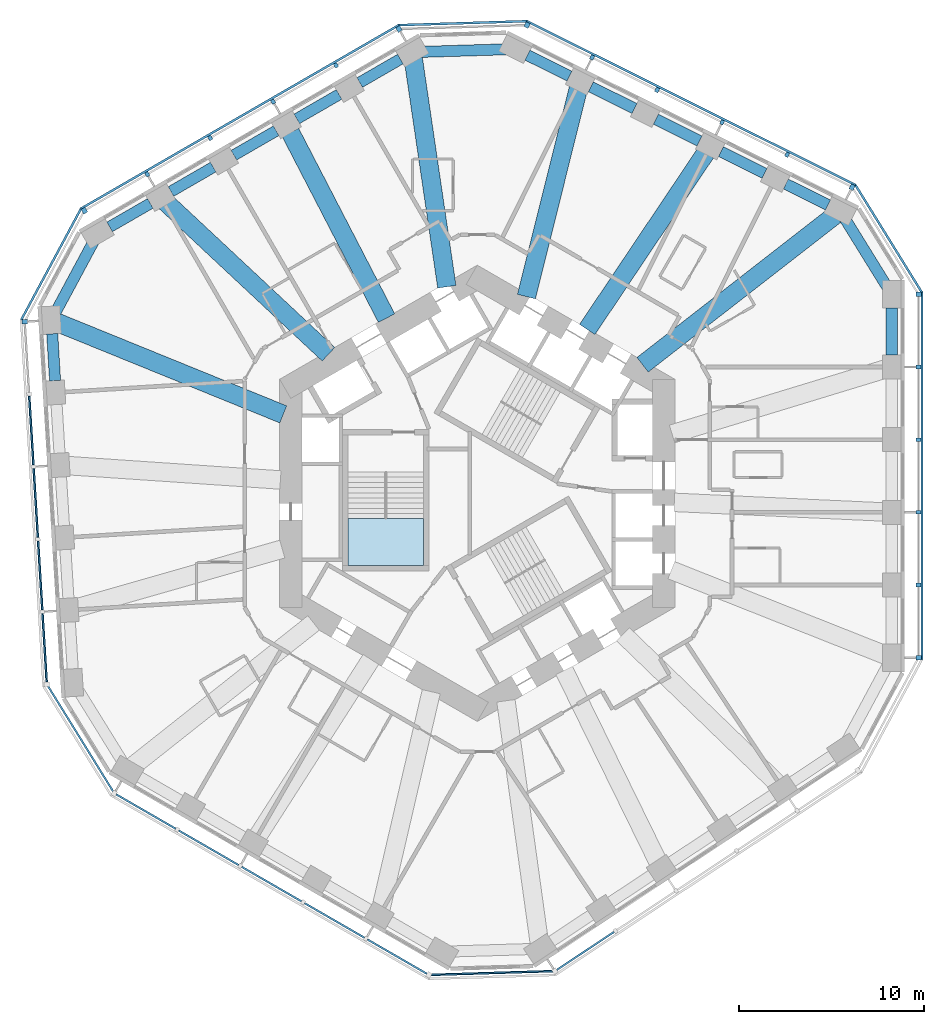
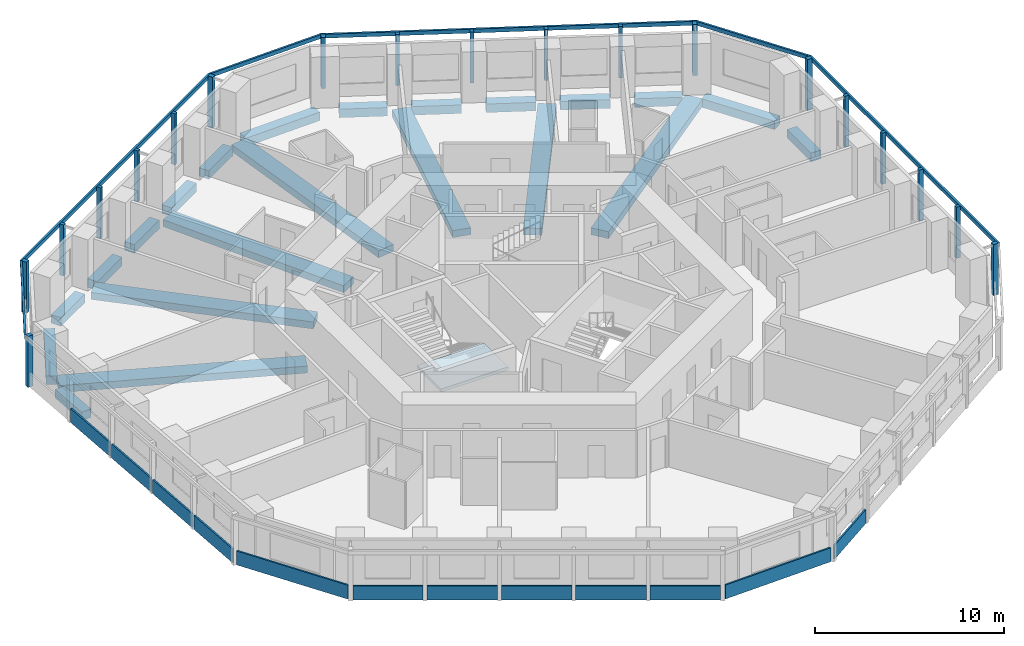
# One storey, part 2 of 12: 25 members, 22 beams, 12 plates, 1 slab, 12 elements without a shape of their own.
"""IFC4 building model written with IfcOpenShell, lengths in metres."""

import ifcopenshell
import ifcopenshell.guid

model = None  # the IFC model being written
_history = None  # IfcOwnerHistory: only IFC2X3 demands one
_inside = {}  # id of a spatial element -> (the spatial element, [elements in it])
_under = {}  # id of a project, library or spatial element -> (it, [spatial elements below it])
_declared = {}  # id of a project -> (the project, [libraries it declares])
_typed = {}  # id of a type object -> (the type object, [elements of that type])
_made_of = {}  # id of a material, layer set ... -> (it, [elements and type objects made of it])


def new_model(schema):
    """Start an empty IFC model of exactly this schema.

    Asked for "IFC4X3", IfcOpenShell would pick the latest addendum, in which some entities
    have other attributes; the version numbers below select the first issue.
    IFC2X3 requires an IfcOwnerHistory on every rooted entity: one is made here for all.
    """
    global model, _history
    if schema == "IFC4X3":
        model = ifcopenshell.file(schema_version=(4, 3, 0, 0))
    else:
        model = ifcopenshell.file(schema=schema)
    _inside.clear()
    _under.clear()
    _declared.clear()
    _typed.clear()
    _made_of.clear()
    _history = None
    if model.schema == "IFC2X3":
        org = make("IfcOrganization", Name="unknown")
        user = make(
            "IfcPersonAndOrganization",
            ThePerson=make("IfcPerson", FamilyName="unknown"),
            TheOrganization=org,
        )
        app = make(
            "IfcApplication",
            ApplicationDeveloper=org,
            Version="unknown",
            ApplicationFullName="unknown",
            ApplicationIdentifier="unknown",
        )
        _history = make(
            "IfcOwnerHistory",
            OwningUser=user,
            OwningApplication=app,
            ChangeAction="ADDED",
            CreationDate=0,
        )
    return model


def make(cls, **values):
    """One entity of the class cls with the attributes given. An attribute that is None is left unset."""
    return model.create_entity(
        cls, **{name: value for name, value in values.items() if value is not None}
    )


def rooted(cls, **values):
    """An entity with a GlobalId (a new one), such as an element, a storey or a relation."""
    return make(cls, GlobalId=ifcopenshell.guid.new(), OwnerHistory=_history, **values)


def si_unit(unit_type, name, prefix=None):
    """IfcSIUnit, for example si_unit("LENGTHUNIT", "METRE", prefix="MILLI")."""
    return make("IfcSIUnit", UnitType=unit_type, Prefix=prefix, Name=name)


def assignment(units):
    """IfcUnitAssignment: the units of a project."""
    return None if units is None else make("IfcUnitAssignment", Units=units)


def point(xyz):
    """IfcCartesianPoint."""
    return None if xyz is None else make("IfcCartesianPoint", Coordinates=xyz)


def direction(xyz):
    """IfcDirection."""
    return None if xyz is None else make("IfcDirection", DirectionRatios=xyz)


def frame(location, z_axis=None, x_axis=None):
    """IfcAxis2Placement3D, a coordinate frame: its origin and axes. An axis left out is left unset."""
    return make(
        "IfcAxis2Placement3D",
        Location=point(location),
        Axis=direction(z_axis),
        RefDirection=direction(x_axis),
    )


def frame_2d(location, x_axis=None):
    """IfcAxis2Placement2D, a coordinate frame in the plane: its origin and x axis."""
    return make(
        "IfcAxis2Placement2D", Location=point(location), RefDirection=direction(x_axis)
    )


def origin():
    """The frame at (0, 0, 0) with its axes left unset."""
    return frame((0.0, 0.0, 0.0))


def origin_2d():
    """The frame at (0, 0) in the plane with its x axis left unset."""
    return frame_2d((0.0, 0.0))


def place(relative_to, where):
    """IfcLocalPlacement: puts the frame where relative to a parent placement (None: the world)."""
    return make(
        "IfcLocalPlacement", PlacementRelTo=relative_to, RelativePlacement=where
    )


def context(
    kind, dimensions, precision=None, world=None, true_north=None, identifier=None
):
    """IfcGeometricRepresentationContext, for example the 3D "Model" context."""
    return make(
        "IfcGeometricRepresentationContext",
        ContextIdentifier=identifier,
        ContextType=kind,
        CoordinateSpaceDimension=dimensions,
        Precision=precision,
        WorldCoordinateSystem=world,
        TrueNorth=true_north,
    )


def subcontext(parent, identifier, kind, view, scale=None):
    """IfcGeometricRepresentationSubContext, for example "Body" below "Model"."""
    return make(
        "IfcGeometricRepresentationSubContext",
        ContextIdentifier=identifier,
        ContextType=kind,
        ParentContext=parent,
        TargetScale=scale,
        TargetView=view,
    )


def project(units=None, contexts=None):
    """IfcProject with its units and contexts."""
    return rooted(
        "IfcProject",
        Name="project",
        RepresentationContexts=contexts,
        UnitsInContext=assignment(units),
    )


def spatial(cls, under=None, at=None, **own):
    """A site, building, storey or space (cls), placed at a placement, below another one or the project."""
    s = rooted(cls, ObjectPlacement=at, **own)
    if under is not None:
        _under.setdefault(under.id(), (under, []))[1].append(s)
    return s


def polyline(points):
    """IfcPolyline through the points."""
    return make("IfcPolyline", Points=[point(p) for p in points])


def profile(cls, at=None, kind="AREA", **sizes):
    """A parametric profile (cls). Its sizes go by their IFC names, for example OverallWidth=200.0."""
    return make(cls, ProfileType=kind, Position=at, **sizes)


def rectangle(**sizes):
    """IfcRectangleProfileDef."""
    return profile("IfcRectangleProfileDef", **sizes)


def outline(outer, holes=None, kind="AREA"):
    """IfcArbitraryClosedProfileDef: a profile drawn as a closed curve; with holes, ...WithVoids."""
    if holes is None:
        return make("IfcArbitraryClosedProfileDef", ProfileType=kind, OuterCurve=outer)
    return make(
        "IfcArbitraryProfileDefWithVoids",
        ProfileType=kind,
        OuterCurve=outer,
        InnerCurves=holes,
    )


def extrude(swept, where, along, depth):
    """IfcExtrudedAreaSolid: the profile swept, set in the frame where, extruded along a direction by depth."""
    return make(
        "IfcExtrudedAreaSolid",
        SweptArea=swept,
        Position=where,
        ExtrudedDirection=direction(along),
        Depth=depth,
    )


def shape(context_of_items, identifier, shape_type, items):
    """IfcShapeRepresentation: the items that make up one representation, for example the "Body"."""
    return make(
        "IfcShapeRepresentation",
        ContextOfItems=context_of_items,
        RepresentationIdentifier=identifier,
        RepresentationType=shape_type,
        Items=items,
    )


def material(Name=None, Category=None):
    """IfcMaterial."""
    return make("IfcMaterial", Name=Name, Category=Category)


def layer(
    of_material, thickness, ventilated=None, Name=None, Category=None, Priority=None
):
    """IfcMaterialLayer: one layer of a wall or slab, of a material (None: an air gap)."""
    return make(
        "IfcMaterialLayer",
        Material=of_material,
        LayerThickness=thickness,
        IsVentilated=ventilated,
        Name=Name,
        Category=Category,
        Priority=Priority,
    )


def layer_set(layers, Name=None):
    """IfcMaterialLayerSet."""
    return make("IfcMaterialLayerSet", MaterialLayers=layers, LayerSetName=Name)


def material_profile(
    of_material, cross_section, Name=None, Category=None, Priority=None
):
    """IfcMaterialProfile: a cross section and its material."""
    return make(
        "IfcMaterialProfile",
        Name=Name,
        Material=of_material,
        Profile=cross_section,
        Priority=Priority,
        Category=Category,
    )


def profile_set(profiles, Name=None, composite=None):
    """IfcMaterialProfileSet."""
    return make(
        "IfcMaterialProfileSet",
        Name=Name,
        MaterialProfiles=profiles,
        CompositeProfile=composite,
    )


def made_of(thing, what):
    """Note that an element or type object is made of a material, layer set ...; save() writes the relation."""
    if what is not None:
        _made_of.setdefault(what.id(), (what, []))[1].append(thing)
    return thing


def type_object(cls, material=None, **own):
    """A type object (cls), such as IfcWallType, which elements share."""
    return made_of(rooted(cls, **own), material)


def element(
    cls,
    number,
    at=None,
    inside=None,
    cuts=None,
    type_object=None,
    material=None,
    context=None,
    identifier="Body",
    shape_type=None,
    held_by="IfcProductDefinitionShape",
    body=None,
    shapes=None,
    **own,
):
    """One element of the class cls, such as IfcWall. Its Tag is "e" and its number.

    at: its placement. inside: the storey or other place that contains it. cuts: it is an
    opening in that element (IfcRelVoidsElement). A single representation is given by context,
    identifier, shape_type and body (its items); several are given by shapes. held_by: the class
    of the entity that holds the representations. save() writes the other relations.
    """
    e = rooted(cls, Tag="e%d" % number, ObjectPlacement=at, **own)
    if body is not None:
        shapes = [shape(context, identifier, shape_type, body)]
    if shapes is not None:
        e.Representation = make(held_by, Representations=shapes)
    if inside is not None:
        _inside.setdefault(inside.id(), (inside, []))[1].append(e)
    if cuts is not None:
        rooted(
            "IfcRelVoidsElement", RelatingBuildingElement=cuts, RelatedOpeningElement=e
        )
    if type_object is not None:
        _typed.setdefault(type_object.id(), (type_object, []))[1].append(e)
    return made_of(e, material)


def aggregate(whole, parts):
    """IfcRelAggregates: a whole, such as a stair, and the parts it consists of."""
    return rooted("IfcRelAggregates", RelatingObject=whole, RelatedObjects=parts)


def save(model, path):
    """Write the relations noted so far, then the file.

    IfcRelAggregates (storeys below a building ...), IfcRelContainedInSpatialStructure (elements
    in a storey), IfcRelDefinesByType, IfcRelAssociatesMaterial and IfcRelDeclares: one each for
    every whole, place, type object, material and project.
    """
    for whole, parts in _under.values():
        aggregate(whole, parts)
    for where, things in _inside.values():
        rooted(
            "IfcRelContainedInSpatialStructure",
            RelatedElements=things,
            RelatingStructure=where,
        )
    for kind, things in _typed.values():
        rooted("IfcRelDefinesByType", RelatedObjects=things, RelatingType=kind)
    for what, things in _made_of.values():
        rooted("IfcRelAssociatesMaterial", RelatedObjects=things, RelatingMaterial=what)
    for by, libraries in _declared.values():
        rooted("IfcRelDeclares", RelatingContext=by, RelatedDefinitions=libraries)
    model.write(path)


model = new_model("IFC4")

# Units and contexts
model_context = context("Model", 3, precision=1e-05, world=origin(), true_north=direction((0.0, 1.0)))
body_context = subcontext(model_context, "Body", "Model", "MODEL_VIEW")
ifc_project = project(units=[si_unit("LENGTHUNIT", "METRE"), si_unit("AREAUNIT", "SQUARE_METRE"), si_unit("VOLUMEUNIT", "CUBIC_METRE"), si_unit("PLANEANGLEUNIT", "RADIAN"), si_unit("MASSUNIT", "GRAM", prefix="KILO")], contexts=[model_context])

# Site, building, storey
site_placement = place(None, origin())
site = spatial("IfcSite", under=ifc_project, at=site_placement, CompositionType="ELEMENT")
building_placement = place(site_placement, origin())
building = spatial("IfcBuilding", under=site, at=building_placement, Name="Vanh Sen Convention Tower", CompositionType="ELEMENT")
storey_placement = place(building_placement, frame((0.0, 0.0, 50.60009765625)))
storey = spatial("IfcBuildingStorey", under=building, at=storey_placement, Name="L09", CompositionType="ELEMENT", Elevation=50.60009765625)

# Curtain wall, members
ifc_material_1 = material(Name="Concrete C50/60", Category="concrete")
curtain_wall_type = type_object("IfcCurtainWallType", Name="Outer skin hotel zone", PredefinedType="NOTDEFINED", material=ifc_material_1)
curtain_wall_1_placement = place(storey_placement, origin())
curtain_wall_1 = element("IfcCurtainWall", 1, at=curtain_wall_1_placement, inside=storey, type_object=curtain_wall_type, Name="OUTER SKIN E L09", PredefinedType="NOTDEFINED")
ifc_material_profile_1 = material_profile(ifc_material_1, rectangle(XDim=0.25, YDim=0.300048828125, at=origin_2d()), Name="Outer skin precast corner fin 250 x 300")
ifc_profile_set_1 = profile_set([ifc_material_profile_1], Name="Concrete C50/60")
member_type_1 = type_object("IfcMemberType", Name="Outer skin precast corner fin 250 x 300", PredefinedType="MULLION", material=ifc_profile_set_1)
member_1_placement = place(storey_placement, frame((23.89990234375, -8.899169921875, 0.0), z_axis=(0.0, 0.0, 1.0), x_axis=(0.0, 1.0, 0.0)))
member_1 = element("IfcMember", 2, at=member_1_placement, type_object=member_type_1, Name="OUTER SKIN CORNER FIN 1 E L09", PredefinedType="MULLION", context=body_context, shape_type="SweptSolid", body=[
    extrude(rectangle(XDim=0.25, YDim=0.300048828125, at=origin_2d()), origin(), (0.0, 0.0, 1.0), 3.2998046875),
])
member_2_placement = place(storey_placement, frame((23.89990234375, 10.773681640625, 0.0), z_axis=(0.0, 0.0, 1.0), x_axis=(0.0, 1.0, 0.0)))
member_2 = element("IfcMember", 3, at=member_2_placement, type_object=member_type_1, Name="OUTER SKIN CORNER FIN 6 E L09", PredefinedType="MULLION", context=body_context, shape_type="SweptSolid", body=[
    extrude(rectangle(XDim=0.25, YDim=0.300048828125, at=origin_2d()), origin(), (0.0, 0.0, 1.0), 3.2998046875),
])

curtain_wall_2_placement = place(storey_placement, origin())
curtain_wall_2 = element("IfcCurtainWall", 4, at=curtain_wall_2_placement, inside=storey, type_object=curtain_wall_type, Name="OUTER SKIN NE L09", PredefinedType="NOTDEFINED")
member_3_placement = place(storey_placement, frame((20.305908203125, 16.581787109375, 0.0), z_axis=(0.0, 0.0, 1.0), x_axis=(-0.894934361602, 0.44619781311, 0.0)))
member_3 = element("IfcMember", 5, at=member_3_placement, type_object=member_type_1, Name="OUTER SKIN CORNER FIN 1 NE L09", PredefinedType="MULLION", context=body_context, shape_type="SweptSolid", body=[
    extrude(rectangle(XDim=0.25, YDim=0.300048828125, at=origin_2d()), origin(), (0.0, 0.0, 1.0), 3.2998046875),
])
member_4_placement = place(storey_placement, frame((2.699951171875, 25.35986328125, 0.0), z_axis=(0.0, 0.0, 1.0), x_axis=(-0.894934361602, 0.44619781311, 0.0)))
member_4 = element("IfcMember", 6, at=member_4_placement, type_object=member_type_1, Name="OUTER SKIN CORNER FIN 6 NE L09", PredefinedType="MULLION", context=body_context, shape_type="SweptSolid", body=[
    extrude(rectangle(XDim=0.25, YDim=0.300048828125, at=origin_2d()), origin(), (0.0, 0.0, 1.0), 3.2998046875),
])

curtain_wall_3_placement = place(storey_placement, origin())
curtain_wall_3 = element("IfcCurtainWall", 7, at=curtain_wall_3_placement, inside=storey, type_object=curtain_wall_type, Name="OUTER SKIN NW L09", PredefinedType="NOTDEFINED")
member_5_placement = place(storey_placement, frame((-4.242919921875, 25.147705078125, 0.0), z_axis=(0.0, 0.0, 1.0), x_axis=(-0.866025403784, -0.5, 0.0)))
member_5 = element("IfcMember", 8, at=member_5_placement, type_object=member_type_1, Name="OUTER SKIN CORNER FIN 1 NW L09", PredefinedType="MULLION", context=body_context, shape_type="SweptSolid", body=[
    extrude(rectangle(XDim=0.25, YDim=0.300048828125, at=origin_2d()), origin(), (0.0, 0.0, 1.0), 3.2998046875),
])
member_6_placement = place(storey_placement, frame((-21.2802734375, 15.31103515625, 0.0), z_axis=(0.0, 0.0, 1.0), x_axis=(-0.866025403784, -0.5, 0.0)))
member_6 = element("IfcMember", 9, at=member_6_placement, type_object=member_type_1, Name="OUTER SKIN CORNER FIN 6 NW L09", PredefinedType="MULLION", context=body_context, shape_type="SweptSolid", body=[
    extrude(rectangle(XDim=0.25, YDim=0.300048828125, at=origin_2d()), origin(), (0.0, 0.0, 1.0), 3.2998046875),
])

# Curtain wall, member
curtain_wall_4_placement = place(storey_placement, origin())
curtain_wall_4 = element("IfcCurtainWall", 10, at=curtain_wall_4_placement, inside=storey, type_object=curtain_wall_type, Name="OUTER SKIN W L09", PredefinedType="NOTDEFINED")
member_7_placement = place(storey_placement, frame((-24.51318359375, 9.294677734375, 0.0), z_axis=(0.0, 0.0, 1.0), x_axis=(0.061048539535, -0.998134798422, 0.0)))
member_7 = element("IfcMember", 11, at=member_7_placement, type_object=member_type_1, Name="OUTER SKIN CORNER FIN 1 W L09", PredefinedType="MULLION", context=body_context, shape_type="SweptSolid", body=[
    extrude(rectangle(XDim=0.25, YDim=0.300048828125, at=origin_2d()), origin(), (0.0, 0.0, 1.0), 3.2998046875),
])

# Member
ifc_material_profile_2 = material_profile(ifc_material_1, rectangle(XDim=0.199951171875, YDim=0.25, at=origin_2d()), Name="Outer skin precast fin 200 x 250")
ifc_profile_set_2 = profile_set([ifc_material_profile_2], Name="Concrete C50/60")
member_type_2 = type_object("IfcMemberType", Name="Outer skin precast fin 200 x 250", PredefinedType="MULLION", material=ifc_profile_set_2)
member_8_placement = place(storey_placement, frame((23.89990234375, -4.964599609375, 0.0), z_axis=(0.0, 0.0, 1.0), x_axis=(0.0, 1.0, 0.0)))
member_8 = element("IfcMember", 12, at=member_8_placement, type_object=member_type_2, Name="OUTER SKIN fin 2 E L09", PredefinedType="MULLION", context=body_context, shape_type="SweptSolid", body=[
    extrude(rectangle(XDim=0.199951171875, YDim=0.25, at=origin_2d()), origin(), (0.0, 0.0, 1.0), 3.2998046875),
])

member_9_placement = place(storey_placement, frame((23.89990234375, -1.030029296875, 0.0), z_axis=(0.0, 0.0, 1.0), x_axis=(0.0, 1.0, 0.0)))
member_9 = element("IfcMember", 13, at=member_9_placement, type_object=member_type_2, Name="OUTER SKIN fin 3 E L09", PredefinedType="MULLION", context=body_context, shape_type="SweptSolid", body=[
    extrude(rectangle(XDim=0.199951171875, YDim=0.25, at=origin_2d()), origin(), (0.0, 0.0, 1.0), 3.2998046875),
])

member_10_placement = place(storey_placement, frame((23.89990234375, 2.904541015625, 0.0), z_axis=(0.0, 0.0, 1.0), x_axis=(0.0, 1.0, 0.0)))
member_10 = element("IfcMember", 14, at=member_10_placement, type_object=member_type_2, Name="OUTER SKIN fin 4 E L09", PredefinedType="MULLION", context=body_context, shape_type="SweptSolid", body=[
    extrude(rectangle(XDim=0.199951171875, YDim=0.25, at=origin_2d()), origin(), (0.0, 0.0, 1.0), 3.2998046875),
])

member_11_placement = place(storey_placement, frame((23.89990234375, 6.839111328125, 0.0), z_axis=(0.0, 0.0, 1.0), x_axis=(0.0, 1.0, 0.0)))
member_11 = element("IfcMember", 15, at=member_11_placement, type_object=member_type_2, Name="OUTER SKIN fin 5 E L09", PredefinedType="MULLION", context=body_context, shape_type="SweptSolid", body=[
    extrude(rectangle(XDim=0.199951171875, YDim=0.25, at=origin_2d()), origin(), (0.0, 0.0, 1.0), 3.2998046875),
])

member_12_placement = place(storey_placement, frame((16.78466796875, 18.33740234375, 0.0), z_axis=(0.0, 0.0, 1.0), x_axis=(-0.894934361602, 0.44619781311, 0.0)))
member_12 = element("IfcMember", 16, at=member_12_placement, type_object=member_type_2, Name="OUTER SKIN fin 2 NE L09", PredefinedType="MULLION", context=body_context, shape_type="SweptSolid", body=[
    extrude(rectangle(XDim=0.199951171875, YDim=0.25, at=origin_2d()), origin(), (0.0, 0.0, 1.0), 3.2998046875),
])

member_13_placement = place(storey_placement, frame((13.263427734375, 20.093017578125, 0.0), z_axis=(0.0, 0.0, 1.0), x_axis=(-0.894934361602, 0.44619781311, 0.0)))
member_13 = element("IfcMember", 17, at=member_13_placement, type_object=member_type_2, Name="OUTER SKIN fin 3 NE L09", PredefinedType="MULLION", context=body_context, shape_type="SweptSolid", body=[
    extrude(rectangle(XDim=0.199951171875, YDim=0.25, at=origin_2d()), origin(), (0.0, 0.0, 1.0), 3.2998046875),
])

member_14_placement = place(storey_placement, frame((9.7421875, 21.8486328125, 0.0), z_axis=(0.0, 0.0, 1.0), x_axis=(-0.894934361602, 0.44619781311, 0.0)))
member_14 = element("IfcMember", 18, at=member_14_placement, type_object=member_type_2, Name="OUTER SKIN fin 4 NE L09", PredefinedType="MULLION", context=body_context, shape_type="SweptSolid", body=[
    extrude(rectangle(XDim=0.199951171875, YDim=0.25, at=origin_2d()), origin(), (0.0, 0.0, 1.0), 3.2998046875),
])

member_15_placement = place(storey_placement, frame((6.22119140625, 23.604248046875, 0.0), z_axis=(0.0, 0.0, 1.0), x_axis=(-0.894934361602, 0.44619781311, 0.0)))
member_15 = element("IfcMember", 19, at=member_15_placement, type_object=member_type_2, Name="OUTER SKIN fin 5 NE L09", PredefinedType="MULLION", context=body_context, shape_type="SweptSolid", body=[
    extrude(rectangle(XDim=0.199951171875, YDim=0.25, at=origin_2d()), origin(), (0.0, 0.0, 1.0), 3.2998046875),
])

member_16_placement = place(storey_placement, frame((-7.650390625, 23.180419921875, 0.0), z_axis=(0.0, 0.0, 1.0), x_axis=(-0.866025403784, -0.5, 0.0)))
member_16 = element("IfcMember", 20, at=member_16_placement, type_object=member_type_2, Name="OUTER SKIN fin 2 NW L09", PredefinedType="MULLION", context=body_context, shape_type="SweptSolid", body=[
    extrude(rectangle(XDim=0.199951171875, YDim=0.25, at=origin_2d()), origin(), (0.0, 0.0, 1.0), 3.2998046875),
])

member_17_placement = place(storey_placement, frame((-11.057861328125, 21.212890625, 0.0), z_axis=(0.0, 0.0, 1.0), x_axis=(-0.866025403784, -0.5, 0.0)))
member_17 = element("IfcMember", 21, at=member_17_placement, type_object=member_type_2, Name="OUTER SKIN fin 3 NW L09", PredefinedType="MULLION", context=body_context, shape_type="SweptSolid", body=[
    extrude(rectangle(XDim=0.199951171875, YDim=0.25, at=origin_2d()), origin(), (0.0, 0.0, 1.0), 3.2998046875),
])

member_18_placement = place(storey_placement, frame((-14.46533203125, 19.24560546875, 0.0), z_axis=(0.0, 0.0, 1.0), x_axis=(-0.866025403784, -0.5, 0.0)))
member_18 = element("IfcMember", 22, at=member_18_placement, type_object=member_type_2, Name="OUTER SKIN fin 4 NW L09", PredefinedType="MULLION", context=body_context, shape_type="SweptSolid", body=[
    extrude(rectangle(XDim=0.199951171875, YDim=0.25, at=origin_2d()), origin(), (0.0, 0.0, 1.0), 3.2998046875),
])

member_19_placement = place(storey_placement, frame((-17.872802734375, 17.2783203125, 0.0), z_axis=(0.0, 0.0, 1.0), x_axis=(-0.866025403784, -0.5, 0.0)))
member_19 = element("IfcMember", 23, at=member_19_placement, type_object=member_type_2, Name="OUTER SKIN fin 5 NW L09", PredefinedType="MULLION", context=body_context, shape_type="SweptSolid", body=[
    extrude(rectangle(XDim=0.199951171875, YDim=0.25, at=origin_2d()), origin(), (0.0, 0.0, 1.0), 3.2998046875),
])

ifc_material_profile_3 = material_profile(ifc_material_1, rectangle(XDim=0.1201171875, YDim=0.25, at=origin_2d()), Name="Outer skin precast spandrel band 250 x 120")
ifc_profile_set_3 = profile_set([ifc_material_profile_3], Name="Concrete C50/60")
member_type_3 = type_object("IfcMemberType", Name="Outer skin precast spandrel band 250 x 120", PredefinedType="USERDEFINED", material=ifc_profile_set_3)
member_20_placement = place(storey_placement, frame((24.0849609375, -9.024169921875, 3.1748046875), z_axis=(0.0, 1.0, 0.0), x_axis=(-1.0, 0.0, 0.0)))
member_20 = element("IfcMember", 24, at=member_20_placement, type_object=member_type_3, Name="OUTER SKIN spandrel band E L09", ObjectType="TRANSOM", PredefinedType="USERDEFINED", context=body_context, shape_type="SweptSolid", body=[
    extrude(rectangle(XDim=0.1201171875, YDim=0.25, at=origin_2d()), origin(), (0.0, 0.0, 1.0), 19.9228515625),
])

aggregate(curtain_wall_1, [member_1, member_8, member_9, member_10, member_11, member_2, member_20])

# Curtain wall, member
curtain_wall_5_placement = place(storey_placement, origin())
curtain_wall_5 = element("IfcCurtainWall", 25, at=curtain_wall_5_placement, inside=storey, type_object=curtain_wall_type, Name="OUTER SKIN CH1 L09", PredefinedType="NOTDEFINED")
member_21_placement = place(storey_placement, frame((24.07861328125, 10.88427734375, 3.1748046875), z_axis=(-0.526195864379, 0.850363400148, 0.0), x_axis=(-0.850363400148, -0.526195864379, 0.0)))
member_21 = element("IfcMember", 26, at=member_21_placement, type_object=member_type_3, Name="OUTER SKIN spandrel band CH1 L09", ObjectType="TRANSOM", PredefinedType="USERDEFINED", context=body_context, shape_type="SweptSolid", body=[
    extrude(rectangle(XDim=0.1201171875, YDim=0.25, at=origin_2d()), origin(), (0.0, 0.0, 1.0), 6.830078125),
])
aggregate(curtain_wall_5, [member_21])

# Member
member_22_placement = place(storey_placement, frame((20.500244140625, 16.69140625, 3.1748046875), z_axis=(-0.894931498167, 0.446203556227, 0.0), x_axis=(-0.446203556227, -0.894931498167, 0.0)))
member_22 = element("IfcMember", 27, at=member_22_placement, type_object=member_type_3, Name="OUTER SKIN spandrel band NE L09", ObjectType="TRANSOM", PredefinedType="USERDEFINED", context=body_context, shape_type="SweptSolid", body=[
    extrude(rectangle(XDim=0.1201171875, YDim=0.25, at=origin_2d()), origin(), (0.0, 0.0, 1.0), 19.9228515625),
])

aggregate(curtain_wall_2, [member_3, member_12, member_13, member_14, member_15, member_4, member_22])

# Curtain wall, member
curtain_wall_6_placement = place(storey_placement, origin())
curtain_wall_6 = element("IfcCurtainWall", 28, at=curtain_wall_6_placement, inside=storey, type_object=curtain_wall_type, Name="OUTER SKIN CH2 L09", PredefinedType="NOTDEFINED")
member_23_placement = place(storey_placement, frame((2.693603515625, 25.569580078125, 3.1748046875), z_axis=(-0.999533472857, -0.030542374483, 0.0), x_axis=(0.030542374483, -0.999533472857, 0.0)))
member_23 = element("IfcMember", 29, at=member_23_placement, type_object=member_type_3, Name="OUTER SKIN spandrel band CH2 L09", ObjectType="TRANSOM", PredefinedType="USERDEFINED", context=body_context, shape_type="SweptSolid", body=[
    extrude(rectangle(XDim=0.1201171875, YDim=0.25, at=origin_2d()), origin(), (0.0, 0.0, 1.0), 6.9462890625),
])
aggregate(curtain_wall_6, [member_23])

# Member
member_24_placement = place(storey_placement, frame((-4.227294921875, 25.370361328125, 3.1748046875), z_axis=(-0.866028047459, -0.499995420993, 0.0), x_axis=(0.499995420993, -0.866028047459, 0.0)))
member_24 = element("IfcMember", 30, at=member_24_placement, type_object=member_type_3, Name="OUTER SKIN spandrel band NW L09", ObjectType="TRANSOM", PredefinedType="USERDEFINED", context=body_context, shape_type="SweptSolid", body=[
    extrude(rectangle(XDim=0.1201171875, YDim=0.25, at=origin_2d()), origin(), (0.0, 0.0, 1.0), 19.923095703125),
])

aggregate(curtain_wall_3, [member_5, member_16, member_17, member_18, member_19, member_6, member_24])

# Curtain wall, member
curtain_wall_7_placement = place(storey_placement, origin())
curtain_wall_7 = element("IfcCurtainWall", 31, at=curtain_wall_7_placement, inside=storey, type_object=curtain_wall_type, Name="OUTER SKIN CH3 L09", PredefinedType="NOTDEFINED")
member_25_placement = place(storey_placement, frame((-21.46533203125, 15.410400390625, 3.1748046875), z_axis=(-0.473315186561, -0.880893145717, 0.0), x_axis=(0.880893145717, -0.473315186561, 0.0)))
member_25 = element("IfcMember", 32, at=member_25_placement, type_object=member_type_3, Name="OUTER SKIN spandrel band CH3 L09", ObjectType="TRANSOM", PredefinedType="USERDEFINED", context=body_context, shape_type="SweptSolid", body=[
    extrude(rectangle(XDim=0.1201171875, YDim=0.25, at=origin_2d()), origin(), (0.0, 0.0, 1.0), 6.829833984375),
])
aggregate(curtain_wall_7, [member_25])

# Beams
ifc_material_2 = material(Name="Concrete C50/60", Category="concrete")
ifc_material_profile_4 = material_profile(ifc_material_2, rectangle(XDim=1.0, YDim=0.449951171875, at=origin_2d()), Name="RC 1000X450")
ifc_profile_set_4 = profile_set([ifc_material_profile_4], Name="Concrete C50/60")
beam_type_1 = type_object("IfcBeamType", Name="Radial floor beam 1000 x 450", PredefinedType="BEAM", material=ifc_profile_set_4)
beam_1_placement = place(storey_placement, frame((19.41455078125, 15.093994140625, -0.47509765625), z_axis=(-0.789473256885, -0.613784959627, 0.0), x_axis=(0.613784959627, -0.789473256885, 0.0)))
element("IfcBeam", 33, at=beam_1_placement, inside=storey, type_object=beam_type_1, Name="Radial beam 04 L09", PredefinedType="BEAM", context=body_context, shape_type="SweptSolid", body=[
    extrude(rectangle(XDim=1.0, YDim=0.449951171875, at=origin_2d()), origin(), (0.0, 0.0, 1.0), 13.248779296875),
])
beam_2_placement = place(storey_placement, frame((12.374267578125, 18.4345703125, -0.47509765625), z_axis=(-0.557324389615, -0.830294842053, 0.0), x_axis=(0.830294842053, -0.557324389615, 0.0)))
element("IfcBeam", 34, at=beam_2_placement, inside=storey, type_object=beam_type_1, Name="Radial beam 05 L09", PredefinedType="BEAM", context=body_context, shape_type="SweptSolid", body=[
    extrude(rectangle(XDim=1.0, YDim=0.449951171875, at=origin_2d()), origin(), (0.0, 0.0, 1.0), 11.51708984375),
])
beam_3_placement = place(storey_placement, frame((5.47802734375, 21.921875, -0.47509765625), z_axis=(-0.242426812684, -0.97016969675, 0.0), x_axis=(0.97016969675, -0.242426812684, 0.0)))
element("IfcBeam", 35, at=beam_3_placement, inside=storey, type_object=beam_type_1, Name="Radial beam 06 L09", PredefinedType="BEAM", context=body_context, shape_type="SweptSolid", body=[
    extrude(rectangle(XDim=1.0, YDim=0.449951171875, at=origin_2d()), origin(), (0.0, 0.0, 1.0), 11.614501953125),
])
beam_4_placement = place(storey_placement, frame((-3.46923828125, 23.560791015625, -0.47509765625), z_axis=(0.145669310946, -0.989333337075, 0.0), x_axis=(0.989333337075, 0.145669310946, 0.0)))
element("IfcBeam", 36, at=beam_4_placement, inside=storey, type_object=beam_type_1, Name="Radial beam 07 L09", PredefinedType="BEAM", context=body_context, shape_type="SweptSolid", body=[
    extrude(rectangle(XDim=1.0, YDim=0.449951171875, at=origin_2d()), origin(), (0.0, 0.0, 1.0), 12.5078125),
])
beam_5_placement = place(storey_placement, frame((-10.115478515625, 19.53759765625, -0.47509765625), z_axis=(0.459758563435, -0.8880439535, 0.0), x_axis=(0.8880439535, 0.459758563435, 0.0)))
element("IfcBeam", 37, at=beam_5_placement, inside=storey, type_object=beam_type_1, Name="Radial beam 08 L09", PredefinedType="BEAM", context=body_context, shape_type="SweptSolid", body=[
    extrude(rectangle(XDim=1.0, YDim=0.449951171875, at=origin_2d()), origin(), (0.0, 0.0, 1.0), 11.317626953125),
])
beam_6_placement = place(storey_placement, frame((-16.880859375, 15.773193359375, -0.47509765625), z_axis=(0.730669888391, -0.682730923717, 0.0), x_axis=(0.682730923717, 0.730669888391, 0.0)))
element("IfcBeam", 38, at=beam_6_placement, inside=storey, type_object=beam_type_1, Name="Radial beam 09 L09", PredefinedType="BEAM", context=body_context, shape_type="SweptSolid", body=[
    extrude(rectangle(XDim=1.0, YDim=0.449951171875, at=origin_2d()), origin(), (0.0, 0.0, 1.0), 12.074951171875),
])
beam_7_placement = place(storey_placement, frame((-22.779052734375, 9.266357421875, -0.47509765625), z_axis=(0.926290168233, -0.376810992719, 0.0), x_axis=(0.376810992719, 0.926290168233, 0.0)))
element("IfcBeam", 39, at=beam_7_placement, inside=storey, type_object=beam_type_1, Name="Radial beam 10 L09", PredefinedType="BEAM", context=body_context, shape_type="SweptSolid", body=[
    extrude(rectangle(XDim=1.0, YDim=0.449951171875, at=origin_2d()), origin(), (0.0, 0.0, 1.0), 13.24853515625),
])
ifc_material_profile_5 = material_profile(ifc_material_2, rectangle(XDim=0.60009765625, YDim=0.550048828125, at=origin_2d()), Name="RC 600X550")
ifc_profile_set_5 = profile_set([ifc_material_profile_5], Name="Concrete C50/60")
beam_type_2 = type_object("IfcBeamType", Name="Spandrel beam 600 x 550", PredefinedType="SPANDREL", material=ifc_profile_set_5)
beam_8_placement = place(storey_placement, frame((22.449951171875, 7.484130859375, -0.525146484375), z_axis=(0.0, 1.0, 0.0), x_axis=(-1.0, 0.0, 0.0)))
element("IfcBeam", 40, at=beam_8_placement, inside=storey, type_object=beam_type_2, Name="Spandrel beam 05 L09", PredefinedType="SPANDREL", context=body_context, shape_type="SweptSolid", body=[
    extrude(rectangle(XDim=0.60009765625, YDim=0.550048828125, at=origin_2d()), origin(), (0.0, 0.0, 1.0), 2.544677734375),
])
beam_9_placement = place(storey_placement, frame((22.207763671875, 11.165283203125, -0.525146484375), z_axis=(-0.526233808765, 0.850339919392, 0.0), x_axis=(-0.850339919392, -0.526233808765, 0.0)))
element("IfcBeam", 41, at=beam_9_placement, inside=storey, type_object=beam_type_2, Name="Spandrel beam 06 L09", PredefinedType="SPANDREL", context=body_context, shape_type="SweptSolid", body=[
    extrude(rectangle(XDim=0.60009765625, YDim=0.550048828125, at=origin_2d()), origin(), (0.0, 0.0, 1.0), 4.38330078125),
])
beam_10_placement = place(storey_placement, frame((18.9921875, 15.616455078125, -0.525146484375), z_axis=(-0.89492552091, 0.446215544356, 0.0), x_axis=(-0.446215544356, -0.89492552091, 0.0)))
element("IfcBeam", 42, at=beam_10_placement, inside=storey, type_object=beam_type_2, Name="Spandrel beam 07 L09", PredefinedType="SPANDREL", context=body_context, shape_type="SweptSolid", body=[
    extrude(rectangle(XDim=0.60009765625, YDim=0.550048828125, at=origin_2d()), origin(), (0.0, 0.0, 1.0), 2.544677734375),
])
beam_11_placement = place(storey_placement, frame((15.560546875, 17.327392578125, -0.525146484375), z_axis=(-0.894925098079, 0.446216392379, 0.0), x_axis=(-0.446216392379, -0.894925098079, 0.0)))
element("IfcBeam", 43, at=beam_11_placement, inside=storey, type_object=beam_type_2, Name="Spandrel beam 08 L09", PredefinedType="SPANDREL", context=body_context, shape_type="SweptSolid", body=[
    extrude(rectangle(XDim=0.60009765625, YDim=0.550048828125, at=origin_2d()), origin(), (0.0, 0.0, 1.0), 2.644775390625),
])
for number, where, z_axis, x_axis, name in (
    (44, (12.039306640625, 19.0830078125, -0.525146484375), (-0.894906716461, 0.446253256383, 0.0), (-0.446253256383, -0.894906716461, 0.0), "Spandrel beam 09 L09"),
    (45, (8.51806640625, 20.838623046875, -0.525146484375), (-0.894906716461, 0.446253256383, 0.0), (-0.446253256383, -0.894906716461, 0.0), "Spandrel beam 10 L09"),
):
    element("IfcBeam", number, at=place(storey_placement, frame(where, z_axis=z_axis, x_axis=x_axis)), inside=storey, type_object=beam_type_2, Name=name, PredefinedType="SPANDREL", context=body_context, shape_type="SweptSolid", body=[
        extrude(rectangle(XDim=0.60009765625, YDim=0.550048828125, at=origin_2d()), origin(), (0.0, 0.0, 1.0), 2.64453125),
    ])
beam_12_placement = place(storey_placement, frame((4.996826171875, 22.59423828125, -0.525146484375), z_axis=(-0.89492552091, 0.446215544356, 0.0), x_axis=(-0.446215544356, -0.89492552091, 0.0)))
element("IfcBeam", 46, at=beam_12_placement, inside=storey, type_object=beam_type_2, Name="Spandrel beam 11 L09", PredefinedType="SPANDREL", context=body_context, shape_type="SweptSolid", body=[
    extrude(rectangle(XDim=0.60009765625, YDim=0.550048828125, at=origin_2d()), origin(), (0.0, 0.0, 1.0), 2.544677734375),
])
beam_13_placement = place(storey_placement, frame((1.56005859375, 24.047119140625, -0.525146484375), z_axis=(-0.99953328448, -0.030548538698, 0.0), x_axis=(0.030548538698, -0.99953328448, 0.0)))
element("IfcBeam", 47, at=beam_13_placement, inside=storey, type_object=beam_type_2, Name="Spandrel beam 12 L09", PredefinedType="SPANDREL", context=body_context, shape_type="SweptSolid", body=[
    extrude(rectangle(XDim=0.60009765625, YDim=0.550048828125, at=origin_2d()), origin(), (0.0, 0.0, 1.0), 4.58740234375),
])
beam_14_placement = place(storey_placement, frame((-4.1630859375, 23.519287109375, -0.525146484375), z_axis=(-0.866056180903, -0.499946688677, 0.0), x_axis=(0.499946688677, -0.866056180903, 0.0)))
element("IfcBeam", 48, at=beam_14_placement, inside=storey, type_object=beam_type_2, Name="Spandrel beam 13 L09", PredefinedType="SPANDREL", context=body_context, shape_type="SweptSolid", body=[
    extrude(rectangle(XDim=0.60009765625, YDim=0.550048828125, at=origin_2d()), origin(), (0.0, 0.0, 1.0), 2.544677734375),
])
for number, where, z_axis, x_axis, name in (
    (49, (-7.484130859375, 21.60205078125, -0.525146484375), (-0.866030315638, -0.499991492324, 0.0), (0.499991492324, -0.866030315638, 0.0), "Spandrel beam 14 L09"),
    (50, (-10.8916015625, 19.634765625, -0.525146484375), (-0.866030315638, -0.499991492324, 0.0), (0.499991492324, -0.866030315638, 0.0), "Spandrel beam 15 L09"),
    (51, (-14.299072265625, 17.66748046875, -0.525146484375), (-0.866030315638, -0.499991492324, 0.0), (0.499991492324, -0.866030315638, 0.0), "Spandrel beam 16 L09"),
):
    element("IfcBeam", number, at=place(storey_placement, frame(where, z_axis=z_axis, x_axis=x_axis)), inside=storey, type_object=beam_type_2, Name=name, PredefinedType="SPANDREL", context=body_context, shape_type="SweptSolid", body=[
        extrude(rectangle(XDim=0.60009765625, YDim=0.550048828125, at=origin_2d()), origin(), (0.0, 0.0, 1.0), 2.64453125),
    ])
beam_15_placement = place(storey_placement, frame((-17.70654296875, 15.7001953125, -0.525146484375), z_axis=(-0.866032197868, -0.499988232117, 0.0), x_axis=(0.499988232117, -0.866032197868, 0.0)))
element("IfcBeam", 52, at=beam_15_placement, inside=storey, type_object=beam_type_2, Name="Spandrel beam 17 L09", PredefinedType="SPANDREL", context=body_context, shape_type="SweptSolid", body=[
    extrude(rectangle(XDim=0.60009765625, YDim=0.550048828125, at=origin_2d()), origin(), (0.0, 0.0, 1.0), 2.54443359375),
])
beam_16_placement = place(storey_placement, frame((-20.773193359375, 13.64990234375, -0.525146484375), z_axis=(-0.47333237284, -0.880883911093, 0.0), x_axis=(0.880883911093, -0.47333237284, 0.0)))
element("IfcBeam", 53, at=beam_16_placement, inside=storey, type_object=beam_type_2, Name="Spandrel beam 18 L09", PredefinedType="SPANDREL", context=body_context, shape_type="SweptSolid", body=[
    extrude(rectangle(XDim=0.60009765625, YDim=0.550048828125, at=origin_2d()), origin(), (0.0, 0.0, 1.0), 4.38330078125),
])
beam_17_placement = place(storey_placement, frame((-23.020263671875, 8.639404296875, -0.525146484375), z_axis=(0.061022277531, -0.998136404328, 0.0), x_axis=(0.998136404328, 0.061022277531, 0.0)))
element("IfcBeam", 54, at=beam_17_placement, inside=storey, type_object=beam_type_2, Name="Spandrel beam 19 L09", PredefinedType="SPANDREL", context=body_context, shape_type="SweptSolid", body=[
    extrude(rectangle(XDim=0.60009765625, YDim=0.550048828125, at=origin_2d()), origin(), (0.0, 0.0, 1.0), 2.54443359375),
])

# Plate
ifc_layer_1 = layer(ifc_material_1, 0.10009765625)
ifc_layer_set_1 = layer_set([ifc_layer_1], Name="Concrete C50/60")
plate_type = type_object("IfcPlateType", Name="Outer skin precast screen panel 100", PredefinedType="CURTAIN_PANEL", material=ifc_layer_set_1)
plate_1_placement = place(storey_placement, frame((-24.15283203125, 3.40380859375, 0.0), z_axis=(0.0, 0.0, 1.0), x_axis=(0.061048539535, -0.998134798422, 0.0)))
plate_1 = element("IfcPlate", 55, at=plate_1_placement, type_object=plate_type, Name="OUTER SKIN screen panel W-2", PredefinedType="CURTAIN_PANEL", context=body_context, shape_type="SweptSolid", body=[
    extrude(rectangle(XDim=3.734619140625, YDim=0.10009765625, at=origin_2d()), origin(), (0.0, 0.0, 1.0), 0.89990234375),
])

plate_2_placement = place(storey_placement, frame((-23.91259765625, -0.523681640625, 0.0), z_axis=(0.0, 0.0, 1.0), x_axis=(0.061046797461, -0.99813490497, 0.0)))
plate_2 = element("IfcPlate", 56, at=plate_2_placement, type_object=plate_type, Name="OUTER SKIN screen panel W-3", PredefinedType="CURTAIN_PANEL", context=body_context, shape_type="SweptSolid", body=[
    extrude(rectangle(XDim=3.734619140625, YDim=0.10009765625, at=origin_2d()), origin(), (0.0, 0.0, 1.0), 0.89990234375),
])

plate_3_placement = place(storey_placement, frame((-23.67236328125, -4.45068359375, 0.0), z_axis=(0.0, 0.0, 1.0), x_axis=(0.061048539535, -0.998134798422, 0.0)))
plate_3 = element("IfcPlate", 57, at=plate_3_placement, type_object=plate_type, Name="OUTER SKIN screen panel W-4", PredefinedType="CURTAIN_PANEL", context=body_context, shape_type="SweptSolid", body=[
    extrude(rectangle(XDim=3.734619140625, YDim=0.10009765625, at=origin_2d()), origin(), (0.0, 0.0, 1.0), 0.89990234375),
])

plate_4_placement = place(storey_placement, frame((-23.43310546875, -8.365478515625, 0.0), z_axis=(0.0, 0.0, 1.0), x_axis=(0.061046797461, -0.99813490497, 0.0)))
plate_4 = element("IfcPlate", 58, at=plate_4_placement, type_object=plate_type, Name="OUTER SKIN screen panel W-5", PredefinedType="CURTAIN_PANEL", context=body_context, shape_type="SweptSolid", body=[
    extrude(rectangle(XDim=3.709716796875, YDim=0.10009765625, at=origin_2d()), origin(), (0.0, 0.0, 1.0), 0.89990234375),
])

aggregate(curtain_wall_4, [member_7, plate_1, plate_2, plate_3, plate_4])

# Curtain wall, plate
curtain_wall_8_placement = place(storey_placement, origin())
curtain_wall_8 = element("IfcCurtainWall", 59, at=curtain_wall_8_placement, inside=storey, type_object=curtain_wall_type, Name="OUTER SKIN CH4 L09", PredefinedType="NOTDEFINED")
plate_5_placement = place(storey_placement, frame((-21.484619140625, -13.295166015625, 0.0), z_axis=(0.0, 0.0, 1.0), x_axis=(0.526205018755, -0.850357735448, 0.0)))
plate_5 = element("IfcPlate", 60, at=plate_5_placement, type_object=plate_type, Name="OUTER SKIN screen panel CH4-1", PredefinedType="CURTAIN_PANEL", context=body_context, shape_type="SweptSolid", body=[
    extrude(rectangle(XDim=6.6962890625, YDim=0.10009765625, at=origin_2d()), origin(), (0.0, 0.0, 1.0), 0.89990234375),
])
aggregate(curtain_wall_8, [plate_5])

# Curtain wall, plates
curtain_wall_9_placement = place(storey_placement, origin())
curtain_wall_9 = element("IfcCurtainWall", 61, at=curtain_wall_9_placement, inside=storey, type_object=curtain_wall_type, Name="OUTER SKIN SW L09", PredefinedType="NOTDEFINED")
plate_6_placement = place(storey_placement, frame((-17.9423828125, -17.23828125, 0.0), z_axis=(0.0, 0.0, 1.0), x_axis=(0.866028021766, -0.499995465495, 0.0)))
plate_6 = element("IfcPlate", 62, at=plate_6_placement, type_object=plate_type, Name="OUTER SKIN screen panel SW-1", PredefinedType="CURTAIN_PANEL", context=body_context, shape_type="SweptSolid", body=[
    extrude(rectangle(XDim=3.709716796875, YDim=0.10009765625, at=origin_2d()), origin(), (0.0, 0.0, 1.0), 0.89990234375),
])
plate_7_placement = place(storey_placement, frame((-14.5458984375, -19.19921875, 0.0), z_axis=(0.0, 0.0, 1.0), x_axis=(0.866032385017, -0.499987907955, 0.0)))
plate_7 = element("IfcPlate", 63, at=plate_7_placement, type_object=plate_type, Name="OUTER SKIN screen panel SW-2", PredefinedType="CURTAIN_PANEL", context=body_context, shape_type="SweptSolid", body=[
    extrude(rectangle(XDim=3.734619140625, YDim=0.10009765625, at=origin_2d()), origin(), (0.0, 0.0, 1.0), 0.89990234375),
])
plate_8_placement = place(storey_placement, frame((-11.138427734375, -21.16650390625, 0.0), z_axis=(0.0, 0.0, 1.0), x_axis=(0.866028021766, -0.499995465495, 0.0)))
plate_8 = element("IfcPlate", 64, at=plate_8_placement, type_object=plate_type, Name="OUTER SKIN screen panel SW-3", PredefinedType="CURTAIN_PANEL", context=body_context, shape_type="SweptSolid", body=[
    extrude(rectangle(XDim=3.734619140625, YDim=0.10009765625, at=origin_2d()), origin(), (0.0, 0.0, 1.0), 0.89990234375),
])
plate_9_placement = place(storey_placement, frame((-7.73095703125, -23.1337890625, 0.0), z_axis=(0.0, 0.0, 1.0), x_axis=(0.866028021766, -0.499995465495, 0.0)))
plate_9 = element("IfcPlate", 65, at=plate_9_placement, type_object=plate_type, Name="OUTER SKIN screen panel SW-4", PredefinedType="CURTAIN_PANEL", context=body_context, shape_type="SweptSolid", body=[
    extrude(rectangle(XDim=3.734619140625, YDim=0.10009765625, at=origin_2d()), origin(), (0.0, 0.0, 1.0), 0.89990234375),
])
plate_10_placement = place(storey_placement, frame((-4.334228515625, -25.094970703125, 0.0), z_axis=(0.0, 0.0, 1.0), x_axis=(0.866021040428, -0.500007557478, 0.0)))
plate_10 = element("IfcPlate", 66, at=plate_10_placement, type_object=plate_type, Name="OUTER SKIN screen panel SW-5", PredefinedType="CURTAIN_PANEL", context=body_context, shape_type="SweptSolid", body=[
    extrude(rectangle(XDim=3.70947265625, YDim=0.10009765625, at=origin_2d()), origin(), (0.0, 0.0, 1.0), 0.89990234375),
])
aggregate(curtain_wall_9, [plate_6, plate_7, plate_8, plate_9, plate_10])

# Curtain wall, plate
curtain_wall_10_placement = place(storey_placement, origin())
curtain_wall_10 = element("IfcCurtainWall", 67, at=curtain_wall_10_placement, inside=storey, type_object=curtain_wall_type, Name="OUTER SKIN CH5 L09", PredefinedType="NOTDEFINED")
plate_11_placement = place(storey_placement, frame((0.793701171875, -25.98046875, 0.0), z_axis=(0.0, 0.0, 1.0), x_axis=(0.999533484231, 0.03054200224, 0.0)))
plate_11 = element("IfcPlate", 68, at=plate_11_placement, type_object=plate_type, Name="OUTER SKIN screen panel CH5-1", PredefinedType="CURTAIN_PANEL", context=body_context, shape_type="SweptSolid", body=[
    extrude(rectangle(XDim=6.580078125, YDim=0.10009765625, at=origin_2d()), origin(), (0.0, 0.0, 1.0), 0.89990234375),
])
aggregate(curtain_wall_10, [plate_11])

curtain_wall_11_placement = place(storey_placement, origin())
curtain_wall_11 = element("IfcCurtainWall", 69, at=curtain_wall_11_placement, inside=storey, type_object=curtain_wall_type, Name="OUTER SKIN SE L09", PredefinedType="NOTDEFINED")
plate_12_placement = place(storey_placement, frame((5.858154296875, -24.783447265625, 0.0), z_axis=(0.0, 0.0, 1.0), x_axis=(0.833891601892, 0.55192825285, 0.0)))
plate_12 = element("IfcPlate", 70, at=plate_12_placement, type_object=plate_type, Name="OUTER SKIN screen panel SE-1", PredefinedType="CURTAIN_PANEL", context=body_context, shape_type="SweptSolid", body=[
    extrude(rectangle(XDim=3.709716796875, YDim=0.10009765625, at=origin_2d()), origin(), (0.0, 0.0, 1.0), 0.89990234375),
])
aggregate(curtain_wall_11, [plate_12])

# Stair, slab
ifc_material_3 = material(Name="Concrete C50/60", Category="concrete")
stair_type = type_object("IfcStairType", Name="Exit stair ST2 20 risers at 165.0", PredefinedType="HALF_TURN_STAIR", material=ifc_material_3)
stair_placement = place(storey_placement, origin())
stair = element("IfcStair", 71, at=stair_placement, inside=storey, type_object=stair_type, Name="Exit stair ST2 L09", PredefinedType="HALF_TURN_STAIR")
ifc_material_4 = material(Name="Concrete C40/50", Category="concrete")
ifc_layer_2 = layer(ifc_material_4, 0.199951171875)
ifc_layer_set_2 = layer_set([ifc_layer_2], Name="Concrete C40/50")
slab_type = type_object("IfcSlabType", Name="Stair landing 200", PredefinedType="LANDING", material=ifc_layer_set_2)
slab_placement = place(storey_placement, frame((0.0, 0.0, 1.449951171875)))
slab = element("IfcSlab", 72, at=slab_placement, type_object=slab_type, Name="ST2 landing 1", PredefinedType="LANDING", context=body_context, shape_type="SweptSolid", body=[
    extrude(outline(polyline([(-7.0, -1.369384765625), (-7.0, -3.909912109375), (-2.89990234375, -3.909912109375), (-2.89990234375, -1.369384765625), (-7.0, -1.369384765625)])), origin(), (0.0, 0.0, 1.0), 0.199951171875),
])
aggregate(stair, [slab])

save(model, "model.ifc")
